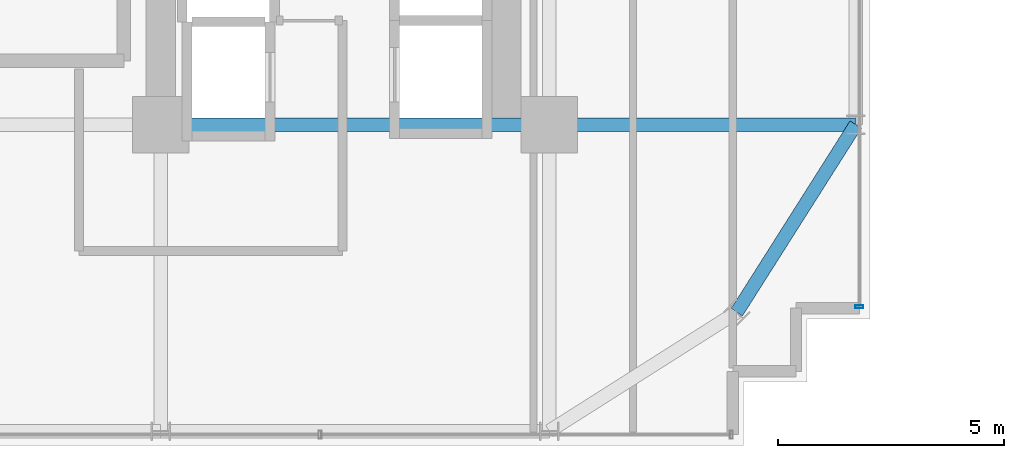
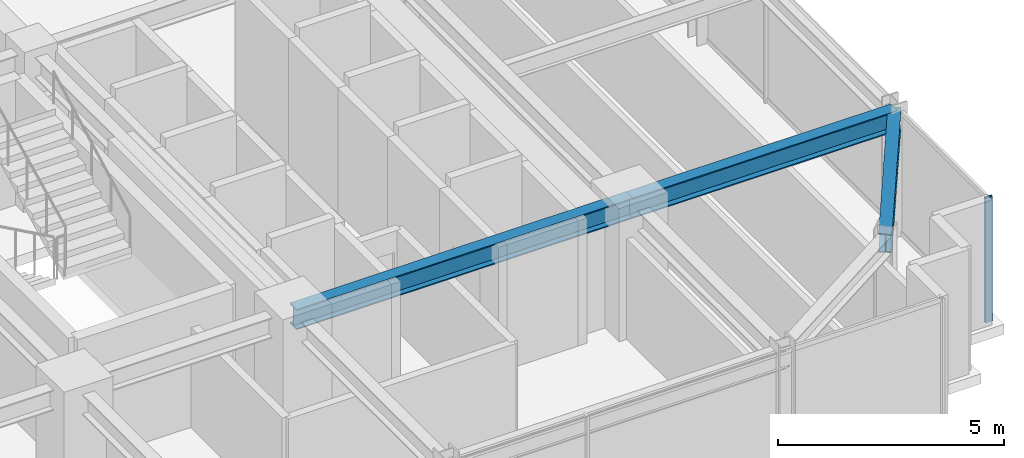
# One storey, part 12 of 33: 3 beams, 1 member, 1 element without a shape of its own.
"""IFC4 building model written with IfcOpenShell, lengths in metres."""

from ifc_helpers import new_model, si_unit, direction, frame, origin, origin_2d, place, context, subcontext, project, spatial, hollow_rectangle, i_section, extrude, source, transform, mapped, material, material_profile, profile_set, type_object, element, aggregate, save


model = new_model("IFC4")

# Units and contexts
model_context = context("Model", 3, precision=1e-05, world=origin(), true_north=direction((0.0, 1.0)))
body_context = subcontext(model_context, "Body", "Model", "MODEL_VIEW")
ifc_project = project(units=[si_unit("LENGTHUNIT", "METRE"), si_unit("AREAUNIT", "SQUARE_METRE"), si_unit("VOLUMEUNIT", "CUBIC_METRE"), si_unit("PLANEANGLEUNIT", "RADIAN"), si_unit("MASSUNIT", "GRAM", prefix="KILO")], contexts=[model_context])

# Site, building, storey
site_placement = place(None, origin())
site = spatial("IfcSite", under=ifc_project, at=site_placement, CompositionType="ELEMENT")
building_placement = place(site_placement, origin())
building = spatial("IfcBuilding", under=site, at=building_placement, Name="Nahalor Promenade Grand Hotel", CompositionType="ELEMENT")
storey_placement = place(building_placement, frame((0.0, 0.0, 117.5)))
storey = spatial("IfcBuildingStorey", under=building, at=storey_placement, Name="L29", CompositionType="ELEMENT", Elevation=117.5)

# Beams
ifc_material_1 = material(Name="Steel S355JR", Category="steel")
ifc_material_profile_1 = material_profile(ifc_material_1, i_section(OverallWidth=0.3, OverallDepth=0.5, WebThickness=0.0145, FlangeThickness=0.028, at=origin_2d()), Name="HEB 500")
ifc_profile_set_1 = profile_set([ifc_material_profile_1], Name="Steel S355JR")
beam_type_1 = type_object("IfcBeamType", Name="Beam-Spandrel-HEB500", PredefinedType="SPANDREL", material=ifc_profile_set_1)
shared_shape_1 = source(origin(), body_context, "Body", "SweptSolid", [
    extrude(i_section(OverallWidth=0.3, OverallDepth=0.5, WebThickness=0.0145, FlangeThickness=0.028, at=origin_2d()), origin(), (0.0, 0.0, 1.0), 4.9130859375),
])
beam_1_placement = place(storey_placement, frame((21.14990234375, -21.14990234375, 3.1298828125), z_axis=(0.535321591403, 0.844648325505, 0.0), x_axis=(-0.844648325505, 0.535321591403, 0.0)))
element("IfcBeam", 1, at=beam_1_placement, inside=storey, type_object=beam_type_1, Name="BM-L29-SPC-SE-2", PredefinedType="SPANDREL", context=body_context, shape_type="MappedRepresentation", body=[
    mapped(shared_shape_1, transform((0.0, 0.0, 0.0), scale=1.0)),
])
ifc_material_profile_2 = material_profile(ifc_material_1, i_section(OverallWidth=0.3, OverallDepth=0.55, WebThickness=0.015, FlangeThickness=0.029, at=origin_2d()), Name="HEB 550")
ifc_profile_set_2 = profile_set([ifc_material_profile_2], Name="Steel S355JR")
beam_type_2 = type_object("IfcBeamType", Name="Beam-Girder-HEB550", PredefinedType="BEAM", material=ifc_profile_set_2)
shared_shape_2 = source(origin(), body_context, "Body", "SweptSolid", [
    extrude(i_section(OverallWidth=0.3, OverallDepth=0.55, WebThickness=0.015, FlangeThickness=0.029, at=origin_2d()), origin(), (0.0, 0.0, 1.0), 6.780029296875),
])
beam_2_placement = place(storey_placement, frame((17.0, -17.0, 3.10498046875), z_axis=(1.0, 0.0, 0.0), x_axis=(0.0, 1.0, 0.0)))
element("IfcBeam", 2, at=beam_2_placement, inside=storey, type_object=beam_type_2, Name="BM-L29-GX-0-6", PredefinedType="BEAM", context=body_context, shape_type="MappedRepresentation", body=[
    mapped(shared_shape_2, transform((0.0, 0.0, 0.0), scale=1.0)),
])
shared_shape_3 = source(origin(), body_context, "Body", "SweptSolid", [
    extrude(i_section(OverallWidth=0.3, OverallDepth=0.55, WebThickness=0.015, FlangeThickness=0.029, at=origin_2d()), origin(), (0.0, 0.0, 1.0), 8.60009765625),
])
beam_3_placement = place(storey_placement, frame((8.39990234375, -17.0, 3.10498046875), z_axis=(1.0, 0.0, 0.0), x_axis=(0.0, 1.0, 0.0)))
element("IfcBeam", 3, at=beam_3_placement, inside=storey, type_object=beam_type_2, Name="BM-L29-GX-0-5", PredefinedType="BEAM", context=body_context, shape_type="MappedRepresentation", body=[
    mapped(shared_shape_3, transform((0.0, 0.0, 0.0), scale=1.0)),
])

# Curtain wall, member
ifc_material_2 = material(Name="Anodised Bronze Aluminium EN AW-6063 T6", Category="aluminium")
curtain_wall_type = type_object("IfcCurtainWallType", Name="CW2 Typical Hotel Flush Bronze Unitised Curtain Wall", PredefinedType="USERDEFINED", material=ifc_material_2)
curtain_wall_placement = place(storey_placement, origin())
curtain_wall = element("IfcCurtainWall", 4, at=curtain_wall_placement, inside=storey, type_object=curtain_wall_type, Name="L29 Curtain Wall CW-L29-E-1", ObjectType="UNITISED_CURTAIN_WALL", PredefinedType="USERDEFINED")
ifc_material_profile_3 = material_profile(ifc_material_2, hollow_rectangle(XDim=0.065, YDim=0.18, WallThickness=0.004, at=origin_2d()), Name="CWM 65x180x4")
ifc_profile_set_3 = profile_set([ifc_material_profile_3], Name="Anodised Bronze Aluminium EN AW-6063 T6")
member_type = type_object("IfcMemberType", Name="CWM2 Typical Bronze Mullion 65x180", PredefinedType="MULLION", material=ifc_profile_set_3)
shared_shape_4 = source(origin(), body_context, "Body", "SweptSolid", [
    extrude(hollow_rectangle(XDim=0.065, YDim=0.18, WallThickness=0.004, at=origin_2d()), origin(), (0.0, 0.0, 1.0), 3.3798828125),
])
member_placement = place(storey_placement, frame((23.860107421875, -21.027587890625, 0.0), z_axis=(0.0, 0.0, 1.0), x_axis=(0.0, 1.0, 0.0)))
member = element("IfcMember", 5, at=member_placement, type_object=member_type, Name="CW-L29-E-1 Mullion 0", PredefinedType="MULLION", context=body_context, shape_type="MappedRepresentation", body=[
    mapped(shared_shape_4, transform((0.0, 0.0, 0.0), scale=1.0)),
])
aggregate(curtain_wall, [member])

save(model, "model.ifc")
